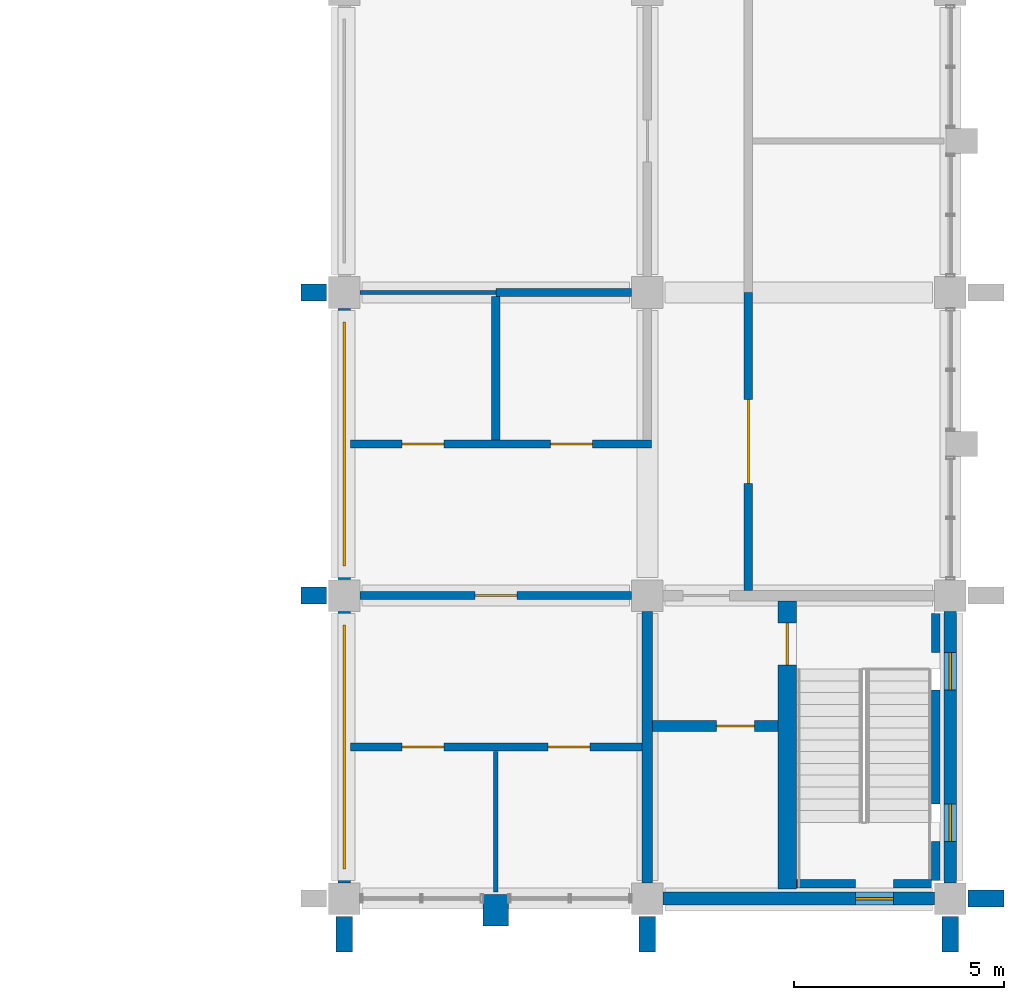
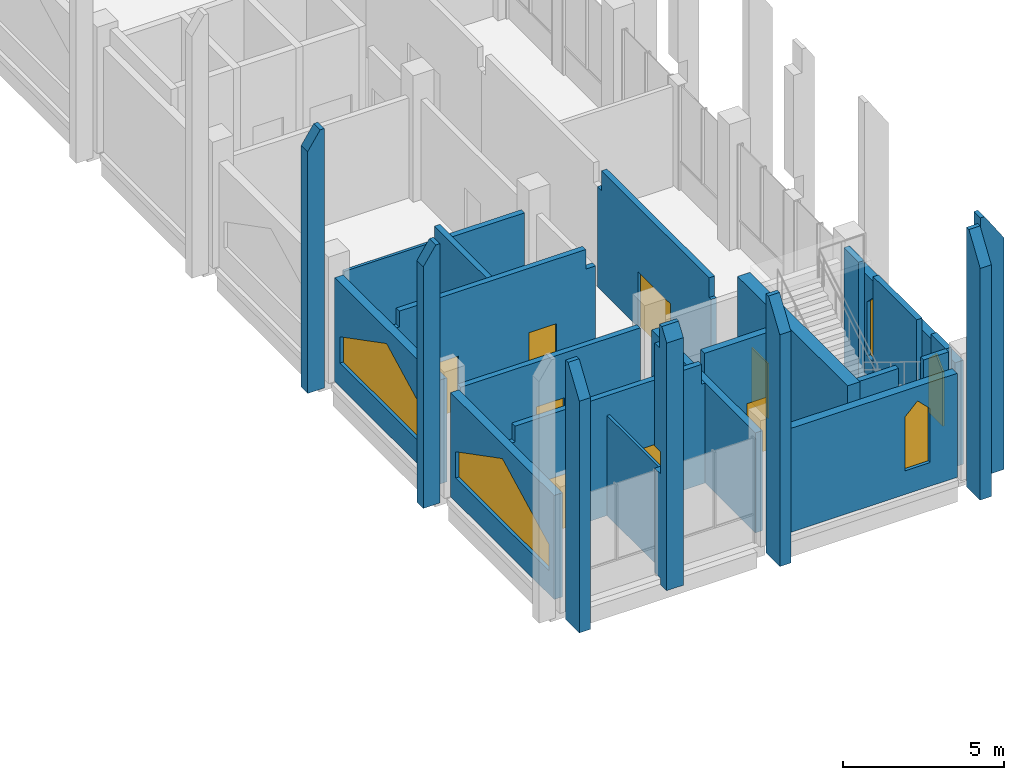
# One storey, part 34 of 40: 27 walls, 8 doors, 5 windows, 13 openings.
"""IFC4 building model written with IfcOpenShell, lengths in metres."""

from ifc_helpers import new_model, si_unit, direction, frame, frame_2d, origin, place, context, subcontext, project, spatial, polyline, rectangle, outline, extrude, material, layer, layer_set, type_object, element, fill, save


model = new_model("IFC4")

# Units and contexts
model_context = context("Model", 3, precision=1e-05, world=origin(), true_north=direction((0.0, 1.0)))
body_context = subcontext(model_context, "Body", "Model", "MODEL_VIEW")
ifc_project = project(units=[si_unit("LENGTHUNIT", "METRE"), si_unit("AREAUNIT", "SQUARE_METRE"), si_unit("VOLUMEUNIT", "CUBIC_METRE"), si_unit("PLANEANGLEUNIT", "RADIAN"), si_unit("MASSUNIT", "GRAM", prefix="KILO")], contexts=[model_context])

# Site, building, storey
site_placement = place(None, origin())
site = spatial("IfcSite", under=ifc_project, at=site_placement, CompositionType="ELEMENT")
building_placement = place(site_placement, origin())
building = spatial("IfcBuilding", under=site, at=building_placement, Name="Silangan Lancet Faculty of Sciences", CompositionType="ELEMENT")
storey_placement = place(building_placement, frame((0.0, 0.0, 21.60009765625)))
storey = spatial("IfcBuildingStorey", under=building, at=storey_placement, Name="L04", CompositionType="ELEMENT", Elevation=21.60009765625)

# Wall, opening, window
ifc_material_1 = material(Name="Concrete C40/50 precast", Category="concrete")
ifc_layer_1 = layer(ifc_material_1, 0.300048828125)
ifc_layer_set_1 = layer_set([ifc_layer_1], Name="Concrete C40/50 precast")
wall_type_1 = type_object("IfcWallType", Name="EW1 Precast cladding wall", PredefinedType="STANDARD", material=ifc_layer_set_1)
wall_1_placement = place(storey_placement, frame((72.0, 0.375, 0.0), z_axis=(0.0, 0.0, 1.0), x_axis=(0.0, 1.0, 0.0)))
wall_1 = element("IfcWall", 1, at=wall_1_placement, inside=storey, type_object=wall_type_1, Name="EW-L04-W-EB-00", PredefinedType="STANDARD", context=body_context, shape_type="SweptSolid", body=[
    extrude(rectangle(XDim=6.449951171875, YDim=0.300048828125, at=frame_2d((3.22509765625, 0.0))), origin(), (0.0, 0.0, 1.0), 3.949951171875),
])
opening_1_placement = place(wall_1_placement, frame((0.324951171875, 0.0, 0.89990234375)))
opening_1 = element("IfcOpeningElement", 2, at=opening_1_placement, cuts=wall_1, Name="Opening W15", PredefinedType="OPENING", context=body_context, shape_type="SweptSolid", body=[
    extrude(outline(polyline([(0.0, 0.0), (5.800048828125, 0.0), (5.800048828125, 1.0), (2.89990234375, 2.5), (0.0, 1.0), (0.0, 0.0)])), frame((0.0, 0.159912109375, 0.0), z_axis=(0.0, -1.0, 0.0), x_axis=(1.0, 0.0, 0.0)), (0.0, 0.0, 1.0), 0.320068359375),
])
ifc_material_2 = material(Name="Aluminium frame, laminated double glazing", Category="aluminium")
window_type_1 = type_object("IfcWindowType", Name="W15 Traceried bay window 5800 x 2500", PartitioningType="TRIPLE_PANEL_VERTICAL", PredefinedType="WINDOW", material=ifc_material_2)
window_1_placement = place(opening_1_placement, origin())
window_1 = element("IfcWindow", 3, at=window_1_placement, inside=storey, type_object=window_type_1, Name="WIN-L04-W-EB-00a", OverallHeight=2.5, OverallWidth=5.800048828125, PartitioningType="TRIPLE_PANEL_VERTICAL", PredefinedType="WINDOW", context=body_context, shape_type="SweptSolid", body=[
    extrude(outline(polyline([(0.0, 0.0), (5.800048828125, 0.0), (5.800048828125, 1.0), (2.89990234375, 2.5), (0.0, 1.0), (0.0, 0.0)])), frame((0.0, 0.030029296875, 0.0), z_axis=(0.0, -1.0, 0.0), x_axis=(1.0, 0.0, 0.0)), (0.0, 0.0, 1.0), 0.06005859375),
])
fill(opening_1, window_1)

wall_2_placement = place(storey_placement, frame((72.0, 7.574951171875, 0.0), z_axis=(0.0, 0.0, 1.0), x_axis=(0.0, 1.0, 0.0)))
wall_2 = element("IfcWall", 4, at=wall_2_placement, inside=storey, type_object=wall_type_1, Name="EW-L04-W-EB-01", PredefinedType="STANDARD", context=body_context, shape_type="SweptSolid", body=[
    extrude(rectangle(XDim=6.449951171875, YDim=0.300048828125, at=frame_2d((3.22509765625, 0.0))), origin(), (0.0, 0.0, 1.0), 3.949951171875),
])
opening_2_placement = place(wall_2_placement, frame((0.324951171875, 0.0, 0.89990234375)))
opening_2 = element("IfcOpeningElement", 5, at=opening_2_placement, cuts=wall_2, Name="Opening W15", PredefinedType="OPENING", context=body_context, shape_type="SweptSolid", body=[
    extrude(outline(polyline([(0.0, 0.0), (5.800048828125, 0.0), (5.800048828125, 1.0), (2.89990234375, 2.5), (0.0, 1.0), (0.0, 0.0)])), frame((0.0, 0.159912109375, 0.0), z_axis=(0.0, -1.0, 0.0), x_axis=(1.0, 0.0, 0.0)), (0.0, 0.0, 1.0), 0.320068359375),
])
window_2_placement = place(opening_2_placement, origin())
window_2 = element("IfcWindow", 6, at=window_2_placement, inside=storey, type_object=window_type_1, Name="WIN-L04-W-EB-01a", OverallHeight=2.5, OverallWidth=5.800048828125, PartitioningType="TRIPLE_PANEL_VERTICAL", PredefinedType="WINDOW", context=body_context, shape_type="SweptSolid", body=[
    extrude(outline(polyline([(0.0, 0.0), (5.800048828125, 0.0), (5.800048828125, 1.0), (2.89990234375, 2.5), (0.0, 1.0), (0.0, 0.0)])), frame((0.0, 0.030029296875, 0.0), z_axis=(0.0, -1.0, 0.0), x_axis=(1.0, 0.0, 0.0)), (0.0, 0.0, 1.0), 0.06005859375),
])
fill(opening_2, window_2)

ifc_material_3 = material(Name="Concrete C40/50 precast", Category="concrete")
ifc_layer_2 = layer(ifc_material_3, 0.300048828125)
ifc_layer_set_2 = layer_set([ifc_layer_2], Name="Concrete C40/50 precast")
wall_type_2 = type_object("IfcWallType", Name="EW2 Turret enclosure wall", PredefinedType="STANDARD", material=ifc_layer_set_2)
wall_3_placement = place(storey_placement, frame((79.574951171875, 0.0, 0.0), z_axis=(0.0, 0.0, 1.0), x_axis=(1.0, 0.0, 0.0)))
wall_3 = element("IfcWall", 7, at=wall_3_placement, inside=storey, type_object=wall_type_2, Name="EW-L04-S-EB-01", PredefinedType="STANDARD", context=body_context, shape_type="SweptSolid", body=[
    extrude(rectangle(XDim=6.449951171875, YDim=0.300048828125, at=frame_2d((3.22509765625, 0.0))), origin(), (0.0, 0.0, 1.0), 3.949951171875),
])
opening_3_placement = place(wall_3_placement, frame((4.574951171875, 0.0, 0.89990234375)))
opening_3 = element("IfcOpeningElement", 8, at=opening_3_placement, cuts=wall_3, Name="Opening W11", PredefinedType="OPENING", context=body_context, shape_type="SweptSolid", body=[
    extrude(outline(polyline([(0.0, 0.0), (0.89990234375, 0.0), (0.89990234375, 2.050048828125), (0.449951171875, 2.5), (0.0, 2.050048828125), (0.0, 0.0)])), frame((0.0, 0.159912109375, 0.0), z_axis=(0.0, -1.0, 0.0), x_axis=(1.0, 0.0, 0.0)), (0.0, 0.0, 1.0), 0.320068359375),
])
ifc_material_4 = material(Name="Aluminium frame, laminated double glazing", Category="aluminium")
window_type_2 = type_object("IfcWindowType", Name="W11 Lancet window 900 x 2500", PartitioningType="SINGLE_PANEL", PredefinedType="WINDOW", material=ifc_material_4)
window_3_placement = place(opening_3_placement, origin())
window_3 = element("IfcWindow", 9, at=window_3_placement, inside=storey, type_object=window_type_2, Name="WIN-L04-S-EB-01b", OverallHeight=2.5, OverallWidth=0.89990234375, PartitioningType="SINGLE_PANEL", PredefinedType="WINDOW", context=body_context, shape_type="SweptSolid", body=[
    extrude(outline(polyline([(0.0, 0.0), (0.89990234375, 0.0), (0.89990234375, 2.050048828125), (0.449951171875, 2.5), (0.0, 2.050048828125), (0.0, 0.0)])), frame((0.0, 0.030029296875, 0.0), z_axis=(0.0, -1.0, 0.0), x_axis=(1.0, 0.0, 0.0)), (0.0, 0.0, 1.0), 0.06005859375),
])
fill(opening_3, window_3)

# Wall, openings, windows
wall_4_placement = place(storey_placement, frame((86.39990234375, 0.375, 0.0), z_axis=(0.0, 0.0, 1.0), x_axis=(0.0, 1.0, 0.0)))
wall_4 = element("IfcWall", 10, at=wall_4_placement, inside=storey, type_object=wall_type_2, Name="EW-L04-E-EB-00", PredefinedType="STANDARD", context=body_context, shape_type="SweptSolid", body=[
    extrude(rectangle(XDim=6.449951171875, YDim=0.300048828125, at=frame_2d((3.22509765625, 0.0))), origin(), (0.0, 0.0, 1.0), 3.949951171875),
])
opening_4_placement = place(wall_4_placement, frame((0.97509765625, 0.0, 0.89990234375)))
opening_4 = element("IfcOpeningElement", 11, at=opening_4_placement, cuts=wall_4, Name="Opening W11", PredefinedType="OPENING", context=body_context, shape_type="SweptSolid", body=[
    extrude(outline(polyline([(0.0, 0.0), (0.89990234375, 0.0), (0.89990234375, 2.050048828125), (0.449951171875, 2.5), (0.0, 2.050048828125), (0.0, 0.0)])), frame((0.0, 0.159912109375, 0.0), z_axis=(0.0, -1.0, 0.0), x_axis=(1.0, 0.0, 0.0)), (0.0, 0.0, 1.0), 0.320068359375),
])
opening_5_placement = place(wall_4_placement, frame((4.574951171875, 0.0, 0.89990234375)))
opening_5 = element("IfcOpeningElement", 12, at=opening_5_placement, cuts=wall_4, Name="Opening W11", PredefinedType="OPENING", context=body_context, shape_type="SweptSolid", body=[
    extrude(outline(polyline([(0.0, 0.0), (0.89990234375, 0.0), (0.89990234375, 2.050048828125), (0.449951171875, 2.5), (0.0, 2.050048828125), (0.0, 0.0)])), frame((0.0, 0.159912109375, 0.0), z_axis=(0.0, -1.0, 0.0), x_axis=(1.0, 0.0, 0.0)), (0.0, 0.0, 1.0), 0.320068359375),
])
window_4_placement = place(opening_4_placement, origin())
window_4 = element("IfcWindow", 13, at=window_4_placement, inside=storey, type_object=window_type_2, Name="WIN-L04-E-EB-00a", OverallHeight=2.5, OverallWidth=0.89990234375, PartitioningType="SINGLE_PANEL", PredefinedType="WINDOW", context=body_context, shape_type="SweptSolid", body=[
    extrude(outline(polyline([(0.0, 0.0), (0.89990234375, 0.0), (0.89990234375, 2.050048828125), (0.449951171875, 2.5), (0.0, 2.050048828125), (0.0, 0.0)])), frame((0.0, 0.030029296875, 0.0), z_axis=(0.0, -1.0, 0.0), x_axis=(1.0, 0.0, 0.0)), (0.0, 0.0, 1.0), 0.06005859375),
])
fill(opening_4, window_4)
window_5_placement = place(opening_5_placement, origin())
window_5 = element("IfcWindow", 14, at=window_5_placement, inside=storey, type_object=window_type_2, Name="WIN-L04-E-EB-00b", OverallHeight=2.5, OverallWidth=0.89990234375, PartitioningType="SINGLE_PANEL", PredefinedType="WINDOW", context=body_context, shape_type="SweptSolid", body=[
    extrude(outline(polyline([(0.0, 0.0), (0.89990234375, 0.0), (0.89990234375, 2.050048828125), (0.449951171875, 2.5), (0.0, 2.050048828125), (0.0, 0.0)])), frame((0.0, 0.030029296875, 0.0), z_axis=(0.0, -1.0, 0.0), x_axis=(1.0, 0.0, 0.0)), (0.0, 0.0, 1.0), 0.06005859375),
])
fill(opening_5, window_5)

# Walls
ifc_material_5 = material(Name="Concrete C40/50 precast", Category="concrete")
ifc_layer_3 = layer(ifc_material_5, 0.60009765625)
ifc_layer_set_3 = layer_set([ifc_layer_3], Name="Concrete C40/50 precast")
wall_type_3 = type_object("IfcWallType", Name="FN2 Buttress Fin mid-bay stage 2 9850", PredefinedType="POLYGONAL", material=ifc_layer_set_3)
wall_5_placement = place(storey_placement, frame((75.60009765625, 0.10009765625, -0.25), z_axis=(0.0, 0.0, 1.0), x_axis=(0.0, -1.0, 0.0)))
element("IfcWall", 15, at=wall_5_placement, inside=storey, type_object=wall_type_3, Name="FIN-S-EB-1-S2", PredefinedType="POLYGONAL", context=body_context, shape_type="SweptSolid", body=[
    extrude(outline(polyline([(0.75, 0.0), (0.75, 9.39990234375), (0.449951171875, 9.849853515625), (0.300048828125, 9.849853515625), (0.300048828125, 8.949951171875), (0.0, 8.949951171875), (0.0, 5.0498046875), (0.35009765625, 5.0498046875), (0.35009765625, 4.199951171875), (0.0, 4.199951171875), (0.0, 0.25), (0.35009765625, 0.25), (0.35009765625, 0.0), (0.75, 0.0)])), frame((0.0, 0.300048828125, 0.0), z_axis=(0.0, -1.0, 0.0), x_axis=(1.0, 0.0, 0.0)), (0.0, 0.0, 1.0), 0.60009765625),
])
ifc_material_6 = material(Name="Concrete C40/50 precast", Category="concrete")
ifc_layer_4 = layer(ifc_material_6, 0.39990234375)
ifc_layer_set_4 = layer_set([ifc_layer_4], Name="Concrete C40/50 precast")
wall_type_4 = type_object("IfcWallType", Name="FN54 Buttress Fin column line stage 2 9850", PredefinedType="POLYGONAL", material=ifc_layer_set_4)
for number, where, z_axis, x_axis, name in (
    (16, (71.574951171875, 7.199951171875, -0.25), (0.0, 0.0, 1.0), (-1.0, 0.0, 0.0), "FINC-W-EB-02-S2"),
    (17, (71.574951171875, 14.39990234375, -0.25), (0.0, 0.0, 1.0), (-1.0, 0.0, 0.0), "FINC-W-EB-03-S2"),
):
    element("IfcWall", number, at=place(storey_placement, frame(where, z_axis=z_axis, x_axis=x_axis)), inside=storey, type_object=wall_type_4, Name=name, PredefinedType="POLYGONAL", context=body_context, shape_type="SweptSolid", body=[
        extrude(outline(polyline([(0.60009765625, 0.0), (0.60009765625, 9.1748046875), (0.14990234375, 9.849853515625), (0.0, 9.849853515625), (0.0, 0.0), (0.60009765625, 0.0)])), frame((0.0, 0.199951171875, 0.0), z_axis=(0.0, -1.0, 0.0), x_axis=(1.0, 0.0, 0.0)), (0.0, 0.0, 1.0), 0.39990234375),
    ])
ifc_material_7 = material(Name="Concrete C40/50 precast", Category="concrete")
ifc_layer_5 = layer(ifc_material_7, 0.39990234375)
ifc_layer_set_5 = layer_set([ifc_layer_5], Name="Concrete C40/50 precast")
wall_type_5 = type_object("IfcWallType", Name="FN56 Buttress Fin column line stage 2 9850", PredefinedType="POLYGONAL", material=ifc_layer_set_5)
for number, where, z_axis, x_axis, name in (
    (18, (72.0, -0.425048828125, -0.25), (0.0, 0.0, 1.0), (0.0, -1.0, 0.0), "FINC-S-EB-01-S2"),
    (19, (79.199951171875, -0.425048828125, -0.25), (0.0, 0.0, 1.0), (0.0, -1.0, 0.0), "FINC-S-EB-02-S2"),
    (20, (86.39990234375, -0.425048828125, -0.25), (0.0, 0.0, 1.0), (0.0, -1.0, 0.0), "FINC-S-EB-03-S2"),
    (21, (86.824951171875, 0.0, -0.25), (0.0, 0.0, 1.0), (1.0, 0.0, 0.0), "FINC-E-EB-01-S2"),
):
    element("IfcWall", number, at=place(storey_placement, frame(where, z_axis=z_axis, x_axis=x_axis)), inside=storey, type_object=wall_type_5, Name=name, PredefinedType="POLYGONAL", context=body_context, shape_type="SweptSolid", body=[
        extrude(outline(polyline([(0.85009765625, 0.0), (0.85009765625, 8.7998046875), (0.14990234375, 9.849853515625), (0.0, 9.849853515625), (0.0, 0.0), (0.85009765625, 0.0)])), frame((0.0, 0.199951171875, 0.0), z_axis=(0.0, -1.0, 0.0), x_axis=(1.0, 0.0, 0.0)), (0.0, 0.0, 1.0), 0.39990234375),
    ])

# Wall, openings, doors
ifc_material_8 = material(Name="Hollow block masonry fm 7 MPa", Category="masonry")
ifc_layer_6 = layer(ifc_material_8, 0.199951171875)
ifc_layer_set_6 = layer_set([ifc_layer_6], Name="Hollow block masonry fm 7 MPa")
wall_type_6 = type_object("IfcWallType", Name="Interior wall PW1 Corridor wall CHB 200", PredefinedType="PARTITIONING", material=ifc_layer_set_6)
wall_6_placement = place(storey_placement, frame((72.14990234375, 3.60009765625, 0.0), z_axis=(0.0, 0.0, 1.0), x_axis=(1.0, 0.0, 0.0)))
wall_6 = element("IfcWall", 22, at=wall_6_placement, inside=storey, type_object=wall_type_6, Name="Corridor wall CHB 200", PredefinedType="PARTITIONING", context=body_context, shape_type="SweptSolid", body=[
    extrude(outline(polyline([(0.0, 0.0), (6.925048828125, 0.0), (6.925048828125, 3.7998046875), (6.800048828125, 3.7998046875), (6.800048828125, 4.5498046875), (0.10009765625, 4.5498046875), (0.10009765625, 3.949951171875), (0.0, 3.949951171875), (0.0, 0.0)])), frame((0.0, 0.10009765625, 0.0), z_axis=(0.0, -1.0, 0.0), x_axis=(1.0, 0.0, 0.0)), (0.0, 0.0, 1.0), 0.199951171875),
])
opening_6_placement = place(wall_6_placement, frame((1.22509765625, 0.0, 0.0)))
opening_6 = element("IfcOpeningElement", 23, at=opening_6_placement, cuts=wall_6, Name="Opening L04-030", PredefinedType="OPENING", context=body_context, shape_type="SweptSolid", body=[
    extrude(rectangle(XDim=1.0, YDim=2.10009765625, at=frame_2d((0.5, 1.050048828125))), frame((0.0, 0.10986328125, 0.0), z_axis=(0.0, -1.0, 0.0), x_axis=(1.0, 0.0, 0.0)), (0.0, 0.0, 1.0), 0.219970703125),
])
opening_7_placement = place(wall_6_placement, frame((4.6875, 0.0, 0.0)))
opening_7 = element("IfcOpeningElement", 24, at=opening_7_placement, cuts=wall_6, Name="Opening L04-031", PredefinedType="OPENING", context=body_context, shape_type="SweptSolid", body=[
    extrude(rectangle(XDim=1.0, YDim=2.10009765625, at=frame_2d((0.5, 1.050048828125))), frame((0.0, 0.10986328125, 0.0), z_axis=(0.0, -1.0, 0.0), x_axis=(1.0, 0.0, 0.0)), (0.0, 0.0, 1.0), 0.219970703125),
])
ifc_material_9 = material(Name="Steel fire door set", Category="steel")
door_type_1 = type_object("IfcDoorType", Name="Door D1 Single leaf fire door 1000 x 2100", OperationType="SINGLE_SWING_LEFT", PredefinedType="DOOR", material=ifc_material_9)
door_1_placement = place(opening_6_placement, frame((1.0, 0.0, 0.0), z_axis=(0.0, 0.0, 1.0), x_axis=(-1.0, 0.0, 0.0)))
door_1 = element("IfcDoor", 25, at=door_1_placement, inside=storey, type_object=door_type_1, Name="Single leaf fire door 1000 x 2100", OperationType="SINGLE_SWING_LEFT", OverallHeight=2.10009765625, OverallWidth=1.0, PredefinedType="DOOR", context=body_context, shape_type="SweptSolid", body=[
    extrude(rectangle(XDim=1.0, YDim=2.10009765625, at=frame_2d((0.5, 1.050048828125))), frame((0.0, 0.025146484375, 0.0), z_axis=(0.0, -1.0, 0.0), x_axis=(1.0, 0.0, 0.0)), (0.0, 0.0, 1.0), 0.050048828125),
])
fill(opening_6, door_1)
door_2_placement = place(opening_7_placement, frame((1.0, 0.0, 0.0), z_axis=(0.0, 0.0, 1.0), x_axis=(-1.0, 0.0, 0.0)))
door_2 = element("IfcDoor", 26, at=door_2_placement, inside=storey, type_object=door_type_1, Name="Single leaf fire door 1000 x 2100", OperationType="SINGLE_SWING_RIGHT", OverallHeight=2.10009765625, OverallWidth=1.0, PredefinedType="DOOR", context=body_context, shape_type="SweptSolid", body=[
    extrude(rectangle(XDim=1.0, YDim=2.10009765625, at=frame_2d((0.5, 1.050048828125))), frame((0.0, 0.025146484375, 0.0), z_axis=(0.0, -1.0, 0.0), x_axis=(1.0, 0.0, 0.0)), (0.0, 0.0, 1.0), 0.050048828125),
])
fill(opening_7, door_2)

# Wall, opening, door
wall_7_placement = place(storey_placement, frame((72.375, 7.199951171875, 0.0), z_axis=(0.0, 0.0, 1.0), x_axis=(1.0, 0.0, 0.0)))
wall_7 = element("IfcWall", 27, at=wall_7_placement, inside=storey, type_object=wall_type_6, Name="Corridor wall CHB 200", PredefinedType="PARTITIONING", context=body_context, shape_type="SweptSolid", body=[
    extrude(rectangle(XDim=6.449951171875, YDim=0.199951171875, at=frame_2d((3.22509765625, 0.0))), origin(), (0.0, 0.0, 1.0), 3.7998046875),
])
opening_8_placement = place(wall_7_placement, frame((2.72509765625, 0.0, 0.0)))
opening_8 = element("IfcOpeningElement", 28, at=opening_8_placement, cuts=wall_7, Name="Opening L04-008", PredefinedType="OPENING", context=body_context, shape_type="SweptSolid", body=[
    extrude(rectangle(XDim=1.0, YDim=2.10009765625, at=frame_2d((0.5, 1.050048828125))), frame((0.0, 0.10986328125, 0.0), z_axis=(0.0, -1.0, 0.0), x_axis=(1.0, 0.0, 0.0)), (0.0, 0.0, 1.0), 0.219970703125),
])
door_3_placement = place(opening_8_placement, frame((1.0, 0.0, 0.0), z_axis=(0.0, 0.0, 1.0), x_axis=(-1.0, 0.0, 0.0)))
door_3 = element("IfcDoor", 29, at=door_3_placement, inside=storey, type_object=door_type_1, Name="Single leaf fire door 1000 x 2100", OperationType="SINGLE_SWING_RIGHT", OverallHeight=2.10009765625, OverallWidth=1.0, PredefinedType="DOOR", context=body_context, shape_type="SweptSolid", body=[
    extrude(rectangle(XDim=1.0, YDim=2.10009765625, at=frame_2d((0.5, 1.050048828125))), frame((0.0, 0.025146484375, 0.0), z_axis=(0.0, -1.0, 0.0), x_axis=(1.0, 0.0, 0.0)), (0.0, 0.0, 1.0), 0.050048828125),
])
fill(opening_8, door_3)

# Wall, openings, doors
wall_8_placement = place(storey_placement, frame((72.14990234375, 10.800048828125, 0.0), z_axis=(0.0, 0.0, 1.0), x_axis=(1.0, 0.0, 0.0)))
wall_8 = element("IfcWall", 30, at=wall_8_placement, inside=storey, type_object=wall_type_6, Name="Corridor wall CHB 200", PredefinedType="PARTITIONING", context=body_context, shape_type="SweptSolid", body=[
    extrude(outline(polyline([(0.0, 0.0), (7.150146484375, 0.0), (7.150146484375, 3.7998046875), (6.800048828125, 3.7998046875), (6.800048828125, 4.5498046875), (0.10009765625, 4.5498046875), (0.10009765625, 3.949951171875), (0.0, 3.949951171875), (0.0, 0.0)])), frame((0.0, 0.10009765625, 0.0), z_axis=(0.0, -1.0, 0.0), x_axis=(1.0, 0.0, 0.0)), (0.0, 0.0, 1.0), 0.199951171875),
])
opening_9_placement = place(wall_8_placement, frame((1.22509765625, 0.0, 0.0)))
opening_9 = element("IfcOpeningElement", 31, at=opening_9_placement, cuts=wall_8, Name="Opening L04-032", PredefinedType="OPENING", context=body_context, shape_type="SweptSolid", body=[
    extrude(rectangle(XDim=1.0, YDim=2.10009765625, at=frame_2d((0.5, 1.050048828125))), frame((0.0, 0.10986328125, 0.0), z_axis=(0.0, -1.0, 0.0), x_axis=(1.0, 0.0, 0.0)), (0.0, 0.0, 1.0), 0.219970703125),
])
opening_10_placement = place(wall_8_placement, frame((4.75, 0.0, 0.0)))
opening_10 = element("IfcOpeningElement", 32, at=opening_10_placement, cuts=wall_8, Name="Opening L04-033", PredefinedType="OPENING", context=body_context, shape_type="SweptSolid", body=[
    extrude(rectangle(XDim=1.0, YDim=2.10009765625, at=frame_2d((0.5, 1.050048828125))), frame((0.0, 0.10986328125, 0.0), z_axis=(0.0, -1.0, 0.0), x_axis=(1.0, 0.0, 0.0)), (0.0, 0.0, 1.0), 0.219970703125),
])
door_4_placement = place(opening_9_placement, origin())
door_4 = element("IfcDoor", 33, at=door_4_placement, inside=storey, type_object=door_type_1, Name="Single leaf fire door 1000 x 2100", OperationType="SINGLE_SWING_RIGHT", OverallHeight=2.10009765625, OverallWidth=1.0, PredefinedType="DOOR", context=body_context, shape_type="SweptSolid", body=[
    extrude(rectangle(XDim=1.0, YDim=2.10009765625, at=frame_2d((0.5, 1.050048828125))), frame((0.0, 0.02490234375, 0.0), z_axis=(0.0, -1.0, 0.0), x_axis=(1.0, 0.0, 0.0)), (0.0, 0.0, 1.0), 0.050048828125),
])
fill(opening_9, door_4)
door_5_placement = place(opening_10_placement, origin())
door_5 = element("IfcDoor", 34, at=door_5_placement, inside=storey, type_object=door_type_1, Name="Single leaf fire door 1000 x 2100", OperationType="SINGLE_SWING_LEFT", OverallHeight=2.10009765625, OverallWidth=1.0, PredefinedType="DOOR", context=body_context, shape_type="SweptSolid", body=[
    extrude(rectangle(XDim=1.0, YDim=2.10009765625, at=frame_2d((0.5, 1.050048828125))), frame((0.0, 0.02490234375, 0.0), z_axis=(0.0, -1.0, 0.0), x_axis=(1.0, 0.0, 0.0)), (0.0, 0.0, 1.0), 0.050048828125),
])
fill(opening_10, door_5)

# Wall, opening, door
wall_9_placement = place(storey_placement, frame((81.60009765625, 7.324951171875, 0.0), z_axis=(0.0, 0.0, 1.0), x_axis=(0.0, 1.0, 0.0)))
wall_9 = element("IfcWall", 35, at=wall_9_placement, inside=storey, type_object=wall_type_6, Name="Corridor wall CHB 200", PredefinedType="PARTITIONING", context=body_context, shape_type="SweptSolid", body=[
    extrude(outline(polyline([(0.0, 0.0), (7.074951171875, 0.0), (7.074951171875, 3.7998046875), (6.824951171875, 3.7998046875), (6.824951171875, 4.5498046875), (0.125, 4.5498046875), (0.125, 3.7998046875), (0.0, 3.7998046875), (0.0, 0.0)])), frame((0.0, 0.10009765625, 0.0), z_axis=(0.0, -1.0, 0.0), x_axis=(1.0, 0.0, 0.0)), (0.0, 0.0, 1.0), 0.199951171875),
])
opening_11_placement = place(wall_9_placement, frame((2.537353515625, 0.0, 0.0)))
opening_11 = element("IfcOpeningElement", 36, at=opening_11_placement, cuts=wall_9, Name="Opening L04-039", PredefinedType="OPENING", context=body_context, shape_type="SweptSolid", body=[
    extrude(rectangle(XDim=2.0, YDim=2.10009765625, at=frame_2d((1.0, 1.050048828125))), frame((0.0, 0.10986328125, 0.0), z_axis=(0.0, -1.0, 0.0), x_axis=(1.0, 0.0, 0.0)), (0.0, 0.0, 1.0), 0.219970703125),
])
ifc_material_10 = material(Name="Steel fire door set", Category="steel")
door_type_2 = type_object("IfcDoorType", Name="Door D4 Double leaf fire door 2000 x 2100", OperationType="DOUBLE_DOOR_SINGLE_SWING", PredefinedType="DOOR", material=ifc_material_10)
door_6_placement = place(opening_11_placement, origin())
door_6 = element("IfcDoor", 37, at=door_6_placement, inside=storey, type_object=door_type_2, Name="Double leaf fire door 2000 x 2100", OperationType="DOUBLE_DOOR_SINGLE_SWING", OverallHeight=2.10009765625, OverallWidth=2.0, PredefinedType="DOOR", context=body_context, shape_type="SweptSolid", body=[
    extrude(rectangle(XDim=2.0, YDim=2.10009765625, at=frame_2d((1.0, 1.050048828125))), frame((0.0, 0.02490234375, 0.0), z_axis=(0.0, -1.0, 0.0), x_axis=(1.0, 0.0, 0.0)), (0.0, 0.0, 1.0), 0.050048828125),
])
fill(opening_11, door_6)

# Walls
ifc_material_11 = material(Name="Hollow block masonry fm 7 MPa", Category="masonry")
ifc_layer_7 = layer(ifc_material_11, 0.199951171875)
ifc_layer_set_7 = layer_set([ifc_layer_7], Name="Hollow block masonry fm 7 MPa")
wall_type_7 = type_object("IfcWallType", Name="Interior wall PW4 Laboratory separation CHB 200", PredefinedType="PARTITIONING", material=ifc_layer_set_7)
wall_10_placement = place(storey_placement, frame((75.60009765625, 14.39990234375, 0.0), z_axis=(0.0, 0.0, 1.0), x_axis=(1.0, 0.0, 0.0)))
element("IfcWall", 38, at=wall_10_placement, inside=storey, type_object=wall_type_7, Name="Laboratory separation CHB 200", PredefinedType="PARTITIONING", context=body_context, shape_type="SweptSolid", body=[
    extrude(rectangle(XDim=3.224853515625, YDim=0.199951171875, at=frame_2d((1.6123046875, 0.0))), origin(), (0.0, 0.0, 1.0), 3.7998046875),
])
wall_11_placement = place(storey_placement, frame((75.60009765625, 10.89990234375, 0.0), z_axis=(0.0, 0.0, 1.0), x_axis=(0.0, 1.0, 0.0)))
element("IfcWall", 39, at=wall_11_placement, inside=storey, type_object=wall_type_7, Name="Laboratory separation CHB 200", PredefinedType="PARTITIONING", context=body_context, shape_type="SweptSolid", body=[
    extrude(outline(polyline([(0.0, 0.0), (3.400146484375, 0.0), (3.400146484375, 3.7998046875), (3.25, 3.7998046875), (3.25, 4.5498046875), (0.0, 4.5498046875), (0.0, 0.0)])), frame((0.0, 0.10009765625, 0.0), z_axis=(0.0, -1.0, 0.0), x_axis=(1.0, 0.0, 0.0)), (0.0, 0.0, 1.0), 0.199951171875),
])
ifc_material_12 = material(Name="Hollow block masonry fm 7 MPa", Category="masonry")
ifc_layer_8 = layer(ifc_material_12, 0.10009765625)
ifc_layer_set_8 = layer_set([ifc_layer_8], Name="Hollow block masonry fm 7 MPa")
wall_type_8 = type_object("IfcWallType", Name="Interior wall PW8 WC partition CHB 100", PredefinedType="PARTITIONING", material=ifc_layer_set_8)
wall_12_placement = place(storey_placement, frame((72.375, 14.39990234375, 0.0), z_axis=(0.0, 0.0, 1.0), x_axis=(1.0, 0.0, 0.0)))
element("IfcWall", 40, at=wall_12_placement, inside=storey, type_object=wall_type_8, Name="WC partition CHB 100", PredefinedType="PARTITIONING", context=body_context, shape_type="SweptSolid", body=[
    extrude(rectangle(XDim=3.22509765625, YDim=0.10009765625, at=frame_2d((1.612548828125, 0.0))), origin(), (0.0, 0.0, 1.0), 3.7998046875),
])
wall_13_placement = place(storey_placement, frame((75.60009765625, 0.14990234375, 0.0), z_axis=(0.0, 0.0, 1.0), x_axis=(0.0, 1.0, 0.0)))
element("IfcWall", 41, at=wall_13_placement, inside=storey, type_object=wall_type_8, Name="WC partition CHB 100", PredefinedType="PARTITIONING", context=body_context, shape_type="SweptSolid", body=[
    extrude(rectangle(XDim=3.35009765625, YDim=0.10009765625, at=frame_2d((1.675048828125, 0.0))), origin(), (0.0, 0.0, 1.0), 3.7998046875),
])

# Wall, opening, door
ifc_material_13 = material(Name="Concrete C40/50", Category="concrete")
ifc_layer_9 = layer(ifc_material_13, 0.449951171875)
ifc_layer_set_9 = layer_set([ifc_layer_9], Name="Concrete C40/50")
wall_type_9 = type_object("IfcWallType", Name="TURRET CORE WALL RC 450", PredefinedType="SHEAR", material=ifc_layer_set_9)
wall_14_placement = place(storey_placement, frame((82.52490234375, 0.22509765625, 0.0), z_axis=(0.0, 0.0, 1.0), x_axis=(0.0, 1.0, 0.0)))
wall_14 = element("IfcWall", 42, at=wall_14_placement, inside=storey, type_object=wall_type_9, Name="WALL-L04-EB-A-WELL", PredefinedType="SHEAR", context=body_context, shape_type="SweptSolid", body=[
    extrude(rectangle(XDim=6.849853515625, YDim=0.449951171875, at=frame_2d((3.4248046875, 0.0))), origin(), (0.0, 0.0, 1.0), 4.5498046875),
])
opening_12_placement = place(wall_14_placement, frame((5.324951171875, 0.0, 0.0)))
opening_12 = element("IfcOpeningElement", 43, at=opening_12_placement, cuts=wall_14, Name="Opening L04-701", PredefinedType="OPENING", context=body_context, shape_type="SweptSolid", body=[
    extrude(rectangle(XDim=1.0, YDim=2.10009765625, at=frame_2d((0.5, 1.050048828125))), frame((0.0, 0.23486328125, 0.0), z_axis=(0.0, -1.0, 0.0), x_axis=(1.0, 0.0, 0.0)), (0.0, 0.0, 1.0), 0.469970703125),
])
ifc_material_14 = material(Name="Steel fire door set", Category="steel")
door_type_3 = type_object("IfcDoorType", Name="D71 Stair enclosure door 1000x2100", OperationType="SINGLE_SWING_LEFT", PredefinedType="DOOR", material=ifc_material_14)
door_7_placement = place(opening_12_placement, frame((1.0, 0.0, 0.0), z_axis=(0.0, 0.0, 1.0), x_axis=(-1.0, 0.0, 0.0)))
door_7 = element("IfcDoor", 44, at=door_7_placement, inside=storey, type_object=door_type_3, Name="Stair enclosure door EB-A L04", OperationType="SINGLE_SWING_LEFT", OverallHeight=2.10009765625, OverallWidth=1.0, PredefinedType="DOOR", context=body_context, shape_type="SweptSolid", body=[
    extrude(rectangle(XDim=1.0, YDim=2.10009765625, at=frame_2d((0.5, 1.050048828125))), frame((0.0, 0.025146484375, 0.0), z_axis=(0.0, -1.0, 0.0), x_axis=(1.0, 0.0, 0.0)), (0.0, 0.0, 1.0), 0.050048828125),
])
fill(opening_12, door_7)

# Walls
ifc_material_15 = material(Name="Concrete C40/50", Category="concrete")
ifc_layer_10 = layer(ifc_material_15, 0.199951171875)
ifc_layer_set_10 = layer_set([ifc_layer_10], Name="Concrete C40/50")
wall_type_10 = type_object("IfcWallType", Name="TURRET LINING WALL RC 200", PredefinedType="SHEAR", material=ifc_layer_set_10)
wall_15_placement = place(storey_placement, frame((86.050048828125, 0.425048828125, -0.25), z_axis=(0.0, 0.0, 1.0), x_axis=(0.0, 1.0, 0.0)))
element("IfcWall", 45, at=wall_15_placement, inside=storey, type_object=wall_type_10, Name="WALL-L04-EB-A-WL", PredefinedType="SHEAR", context=body_context, shape_type="SweptSolid", body=[
    extrude(rectangle(XDim=0.925048828125, YDim=0.199951171875, at=frame_2d((0.46240234375, 0.0))), origin(), (0.0, 0.0, 1.0), 4.7998046875),
])
wall_16_placement = place(storey_placement, frame((86.050048828125, 2.25, -0.25), z_axis=(0.0, 0.0, 1.0), x_axis=(0.0, 1.0, 0.0)))
element("IfcWall", 46, at=wall_16_placement, inside=storey, type_object=wall_type_10, Name="WALL-L04-EB-A-WL-2", PredefinedType="SHEAR", context=body_context, shape_type="SweptSolid", body=[
    extrude(rectangle(XDim=2.699951171875, YDim=0.199951171875, at=frame_2d((1.35009765625, 0.0))), origin(), (0.0, 0.0, 1.0), 4.7998046875),
])
wall_17_placement = place(storey_placement, frame((86.050048828125, 5.85009765625, -0.25), z_axis=(0.0, 0.0, 1.0), x_axis=(0.0, 1.0, 0.0)))
element("IfcWall", 47, at=wall_17_placement, inside=storey, type_object=wall_type_10, Name="WALL-L04-EB-A-WL-3", PredefinedType="SHEAR", context=body_context, shape_type="SweptSolid", body=[
    extrude(rectangle(XDim=0.9248046875, YDim=0.199951171875, at=frame_2d((0.46240234375, 0.0))), origin(), (0.0, 0.0, 1.0), 4.7998046875),
])
wall_18_placement = place(storey_placement, frame((82.75, 0.35009765625, -0.25), z_axis=(0.0, 0.0, 1.0), x_axis=(1.0, 0.0, 0.0)))
element("IfcWall", 48, at=wall_18_placement, inside=storey, type_object=wall_type_10, Name="WALL-L04-EB-A-WLD", PredefinedType="SHEAR", context=body_context, shape_type="SweptSolid", body=[
    extrude(rectangle(XDim=1.39990234375, YDim=0.199951171875, at=frame_2d((0.699951171875, 0.0))), origin(), (0.0, 0.0, 1.0), 4.7998046875),
])
wall_19_placement = place(storey_placement, frame((85.050048828125, 0.35009765625, -0.25), z_axis=(0.0, 0.0, 1.0), x_axis=(1.0, 0.0, 0.0)))
element("IfcWall", 49, at=wall_19_placement, inside=storey, type_object=wall_type_10, Name="WALL-L04-EB-A-WLD-2", PredefinedType="SHEAR", context=body_context, shape_type="SweptSolid", body=[
    extrude(rectangle(XDim=0.89990234375, YDim=0.199951171875, at=frame_2d((0.449951171875, 0.0))), origin(), (0.0, 0.0, 1.0), 4.7998046875),
])
ifc_material_16 = material(Name="Concrete C40/50", Category="concrete")
ifc_layer_11 = layer(ifc_material_16, 0.25)
ifc_layer_set_11 = layer_set([ifc_layer_11], Name="Concrete C40/50")
wall_type_11 = type_object("IfcWallType", Name="TURRET WALL RC 250", PredefinedType="SHEAR", material=ifc_layer_set_11)
wall_20_placement = place(storey_placement, frame((79.199951171875, 0.375, 0.0), z_axis=(0.0, 0.0, 1.0), x_axis=(0.0, 1.0, 0.0)))
element("IfcWall", 50, at=wall_20_placement, inside=storey, type_object=wall_type_11, Name="WALL-L04-EB-A-O", PredefinedType="SHEAR", context=body_context, shape_type="SweptSolid", body=[
    extrude(rectangle(XDim=6.449951171875, YDim=0.25, at=frame_2d((3.22509765625, 0.0))), origin(), (0.0, 0.0, 1.0), 3.7998046875),
])

# Wall, opening, door
wall_21_placement = place(storey_placement, frame((79.324951171875, 4.10009765625, 0.0), z_axis=(0.0, 0.0, 1.0), x_axis=(1.0, 0.0, 0.0)))
wall_21 = element("IfcWall", 51, at=wall_21_placement, inside=storey, type_object=wall_type_11, Name="WALL-L04-EB-A-RISER", PredefinedType="SHEAR", context=body_context, shape_type="SweptSolid", body=[
    extrude(rectangle(XDim=2.97509765625, YDim=0.25, at=frame_2d((1.487548828125, 0.0))), origin(), (0.0, 0.0, 1.0), 4.5498046875),
])
opening_13_placement = place(wall_21_placement, frame((1.52490234375, 0.0, 0.0)))
opening_13 = element("IfcOpeningElement", 52, at=opening_13_placement, cuts=wall_21, Name="Opening L04-703", PredefinedType="OPENING", context=body_context, shape_type="SweptSolid", body=[
    extrude(rectangle(XDim=0.89990234375, YDim=2.10009765625, at=frame_2d((0.449951171875, 1.050048828125))), frame((0.0, 0.135009765625, 0.0), z_axis=(0.0, -1.0, 0.0), x_axis=(1.0, 0.0, 0.0)), (0.0, 0.0, 1.0), 0.27001953125),
])
ifc_material_17 = material(Name="Steel fire door set", Category="steel")
door_type_4 = type_object("IfcDoorType", Name="D72 Riser access door 900x2100", OperationType="SINGLE_SWING_LEFT", PredefinedType="DOOR", material=ifc_material_17)
door_8_placement = place(opening_13_placement, frame((0.89990234375, 0.0, 0.0), z_axis=(0.0, 0.0, 1.0), x_axis=(-1.0, 0.0, 0.0)))
door_8 = element("IfcDoor", 53, at=door_8_placement, inside=storey, type_object=door_type_4, Name="Riser access door EB-A L04", OperationType="SINGLE_SWING_RIGHT", OverallHeight=2.10009765625, OverallWidth=0.89990234375, PredefinedType="DOOR", context=body_context, shape_type="SweptSolid", body=[
    extrude(rectangle(XDim=0.89990234375, YDim=2.10009765625, at=frame_2d((0.449951171875, 1.050048828125))), frame((0.0, 0.025146484375, 0.0), z_axis=(0.0, -1.0, 0.0), x_axis=(1.0, 0.0, 0.0)), (0.0, 0.0, 1.0), 0.050048828125),
])
fill(opening_13, door_8)

save(model, "model.ifc")
